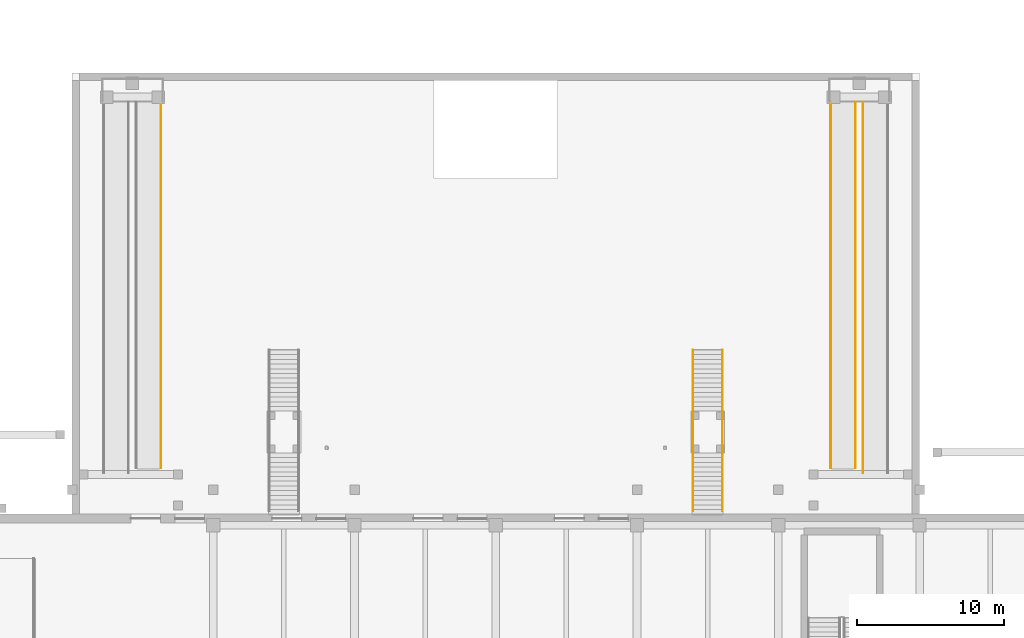
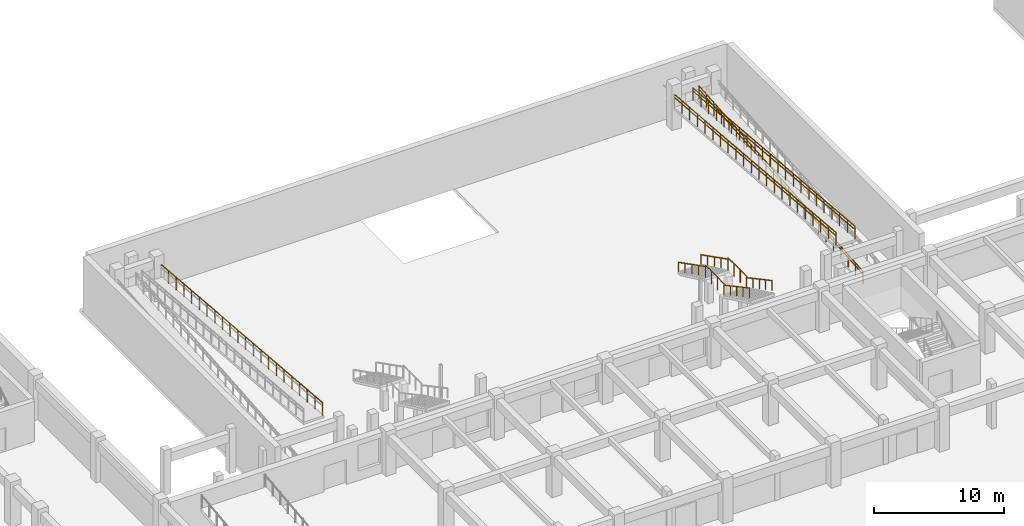
# One storey, part 33 of 39: 13 railings.
"""IFC4 building model written with IfcOpenShell, lengths in metres."""

from ifc_helpers import new_model, si_unit, direction, frame, origin, origin_2d, place, context, subcontext, project, spatial, circle, extrude, material, type_object, element, save


model = new_model("IFC4")

# Units and contexts
model_context = context("Model", 3, precision=1e-05, world=origin(), true_north=direction((0.0, 1.0)))
body_context = subcontext(model_context, "Body", "Model", "MODEL_VIEW")
ifc_project = project(units=[si_unit("LENGTHUNIT", "METRE"), si_unit("AREAUNIT", "SQUARE_METRE"), si_unit("VOLUMEUNIT", "CUBIC_METRE"), si_unit("PLANEANGLEUNIT", "RADIAN"), si_unit("MASSUNIT", "GRAM", prefix="KILO")], contexts=[model_context])

# Site, building, storey
site_placement = place(None, origin())
site = spatial("IfcSite", under=ifc_project, at=site_placement, CompositionType="ELEMENT")
building_placement = place(site_placement, origin())
building = spatial("IfcBuilding", under=site, at=building_placement, Name="Nakhvara Creek Congress Hotel", CompositionType="ELEMENT")
storey_placement = place(building_placement, frame((0.0, 0.0, -4.199951171875)))
storey = spatial("IfcBuildingStorey", under=building, at=storey_placement, Name="B1", CompositionType="ELEMENT", Elevation=-4.199951171875)

# Railings
ifc_material_1 = material(Name="Bronze-anodised aluminium and laminated safety glass balustrade", Category="aluminium")
railing_type_1 = type_object("IfcRailingType", Name="RL-BALUS-1200", PredefinedType="BALUSTRADE", material=ifc_material_1)
for number, where, name in (
    (1, (109.39990234375, 102.97998046875, 2.099853515625), "Forecourt Stair Landing Guard ST22"),
    (2, (111.39990234375, 102.97998046875, 2.099853515625), "Forecourt Stair Landing Guard ST22"),
):
    element("IfcRailing", number, at=place(storey_placement, frame(where)), inside=storey, type_object=railing_type_1, Name=name, PredefinedType="BALUSTRADE", context=body_context, shape_type="SweptSolid", body=[
        extrude(circle(Radius=0.02392578125, at=origin_2d()), frame((0.0, -0.0146484375, 1.17578125), z_axis=(0.0, -1.0, 0.0), x_axis=(1.0, 0.0, 0.0)), (0.0, 0.0, 1.0), 2.770751953125),
        extrude(circle(Radius=0.02099609375, at=origin_2d()), origin(), (0.0, 0.0, 1.0), 1.1806640625),
        extrude(circle(Radius=0.02099609375, at=origin_2d()), frame((0.0, -0.933349609375, 0.0)), (0.0, 0.0, 1.0), 1.1806640625),
        extrude(circle(Radius=0.02099609375, at=origin_2d()), frame((0.0, -1.86669921875, 0.0)), (0.0, 0.0, 1.0), 1.1806640625),
        extrude(circle(Radius=0.02099609375, at=origin_2d()), frame((0.0, -2.800048828125, 0.0)), (0.0, 0.0, 1.0), 1.1806640625),
    ])
railing_1_placement = place(storey_placement, frame((73.239990234375, 124.0, 2.099853515625)))
element("IfcRailing", 3, at=railing_1_placement, inside=storey, type_object=railing_type_1, Name="Ramp Guard PR01-2R", PredefinedType="BALUSTRADE", context=body_context, shape_type="SweptSolid", body=[
    extrude(circle(Radius=0.02392578125, at=origin_2d()), frame((0.0, -0.0146484375, 1.17724609375), z_axis=(0.0, -0.996447991047, 0.08421045742), x_axis=(1.0, 0.0, 0.0)), (0.0, 0.0, 1.0), 24.9091796875),
    extrude(circle(Radius=0.02099609375, at=origin_2d()), origin(), (0.0, 0.0, 1.0), 1.1806640625),
    extrude(circle(Radius=0.02099609375, at=origin_2d()), frame((0.0, -1.183349609375, 0.10009765625)), (0.0, 0.0, 1.0), 1.1806640625),
    extrude(circle(Radius=0.02099609375, at=origin_2d()), frame((0.0, -2.36669921875, 0.199951171875)), (0.0, 0.0, 1.0), 1.1806640625),
    extrude(circle(Radius=0.02099609375, at=origin_2d()), frame((0.0, -3.550048828125, 0.300048828125)), (0.0, 0.0, 1.0), 1.1806640625),
    extrude(circle(Radius=0.02099609375, at=origin_2d()), frame((0.0, -4.7333984375, 0.39990234375)), (0.0, 0.0, 1.0), 1.1806640625),
    extrude(circle(Radius=0.02099609375, at=origin_2d()), frame((0.0, -5.916748046875, 0.5)), (0.0, 0.0, 1.0), 1.1806640625),
    extrude(circle(Radius=0.02099609375, at=origin_2d()), frame((0.0, -7.10009765625, 0.60009765625)), (0.0, 0.0, 1.0), 1.1806640625),
    extrude(circle(Radius=0.02099609375, at=origin_2d()), frame((0.0, -8.283447265625, 0.699951171875)), (0.0, 0.0, 1.0), 1.1806640625),
    extrude(circle(Radius=0.02099609375, at=origin_2d()), frame((0.0, -9.466796875, 0.800048828125)), (0.0, 0.0, 1.0), 1.1806640625),
    extrude(circle(Radius=0.02099609375, at=origin_2d()), frame((0.0, -10.650146484375, 0.900146484375)), (0.0, 0.0, 1.0), 1.1806640625),
    extrude(circle(Radius=0.02099609375, at=origin_2d()), frame((0.0, -11.83349609375, 1.0)), (0.0, 0.0, 1.0), 1.1806640625),
    extrude(circle(Radius=0.02099609375, at=origin_2d()), frame((0.0, -13.0166015625, 1.10009765625)), (0.0, 0.0, 1.0), 1.1806640625),
    extrude(circle(Radius=0.02099609375, at=origin_2d()), frame((0.0, -14.199951171875, 1.199951171875)), (0.0, 0.0, 1.0), 1.1806640625),
    extrude(circle(Radius=0.02099609375, at=origin_2d()), frame((0.0, -15.38330078125, 1.300048828125)), (0.0, 0.0, 1.0), 1.1806640625),
    extrude(circle(Radius=0.02099609375, at=origin_2d()), frame((0.0, -16.566650390625, 1.400146484375)), (0.0, 0.0, 1.0), 1.1806640625),
    extrude(circle(Radius=0.02099609375, at=origin_2d()), frame((0.0, -17.75, 1.5)), (0.0, 0.0, 1.0), 1.1806640625),
    extrude(circle(Radius=0.02099609375, at=origin_2d()), frame((0.0, -18.933349609375, 1.60009765625)), (0.0, 0.0, 1.0), 1.1806640625),
    extrude(circle(Radius=0.02099609375, at=origin_2d()), frame((0.0, -20.11669921875, 1.7001953125)), (0.0, 0.0, 1.0), 1.1806640625),
    extrude(circle(Radius=0.02099609375, at=origin_2d()), frame((0.0, -21.300048828125, 1.800048828125)), (0.0, 0.0, 1.0), 1.1806640625),
    extrude(circle(Radius=0.02099609375, at=origin_2d()), frame((0.0, -22.4833984375, 1.900146484375)), (0.0, 0.0, 1.0), 1.1806640625),
    extrude(circle(Radius=0.02099609375, at=origin_2d()), frame((0.0, -23.666748046875, 2.0)), (0.0, 0.0, 1.0), 1.1806640625),
    extrude(circle(Radius=0.02099609375, at=origin_2d()), frame((0.0, -24.85009765625, 2.10009765625)), (0.0, 0.0, 1.0), 1.1806640625),
])
railing_2_placement = place(storey_placement, frame((120.9599609375, 98.800048828125, 0.0)))
element("IfcRailing", 4, at=railing_2_placement, inside=storey, type_object=railing_type_1, Name="Ramp Guard PR02-1L", PredefinedType="BALUSTRADE", context=body_context, shape_type="SweptSolid", body=[
    extrude(circle(Radius=0.02392578125, at=origin_2d()), frame((0.0, 0.0146484375, 1.177001953125), z_axis=(0.0, 0.996546224317, 0.083039886798), x_axis=(-1.0, 0.0, 0.0)), (0.0, 0.0, 1.0), 25.2578125),
    extrude(circle(Radius=0.02099609375, at=origin_2d()), origin(), (0.0, 0.0, 1.0), 1.1806640625),
    extrude(circle(Radius=0.02099609375, at=origin_2d()), frame((0.0, 1.1455078125, 0.095458984375)), (0.0, 0.0, 1.0), 1.1806640625),
    extrude(circle(Radius=0.02099609375, at=origin_2d()), frame((0.0, 2.291015625, 0.19091796875)), (0.0, 0.0, 1.0), 1.1806640625),
    extrude(circle(Radius=0.02099609375, at=origin_2d()), frame((0.0, 3.436279296875, 0.286376953125)), (0.0, 0.0, 1.0), 1.1806640625),
    extrude(circle(Radius=0.02099609375, at=origin_2d()), frame((0.0, 4.581787109375, 0.3818359375)), (0.0, 0.0, 1.0), 1.1806640625),
    extrude(circle(Radius=0.02099609375, at=origin_2d()), frame((0.0, 5.727294921875, 0.477294921875)), (0.0, 0.0, 1.0), 1.1806640625),
    extrude(circle(Radius=0.02099609375, at=origin_2d()), frame((0.0, 6.872802734375, 0.57275390625)), (0.0, 0.0, 1.0), 1.1806640625),
    extrude(circle(Radius=0.02099609375, at=origin_2d()), frame((0.0, 8.01806640625, 0.668212890625)), (0.0, 0.0, 1.0), 1.1806640625),
    extrude(circle(Radius=0.02099609375, at=origin_2d()), frame((0.0, 9.16357421875, 0.763671875)), (0.0, 0.0, 1.0), 1.1806640625),
    extrude(circle(Radius=0.02099609375, at=origin_2d()), frame((0.0, 10.30908203125, 0.859130859375)), (0.0, 0.0, 1.0), 1.1806640625),
    extrude(circle(Radius=0.02099609375, at=origin_2d()), frame((0.0, 11.45458984375, 0.95458984375)), (0.0, 0.0, 1.0), 1.1806640625),
    extrude(circle(Radius=0.02099609375, at=origin_2d()), frame((0.0, 12.60009765625, 1.0498046875)), (0.0, 0.0, 1.0), 1.1806640625),
    extrude(circle(Radius=0.02099609375, at=origin_2d()), frame((0.0, 13.745361328125, 1.145263671875)), (0.0, 0.0, 1.0), 1.1806640625),
    extrude(circle(Radius=0.02099609375, at=origin_2d()), frame((0.0, 14.890869140625, 1.24072265625)), (0.0, 0.0, 1.0), 1.1806640625),
    extrude(circle(Radius=0.02099609375, at=origin_2d()), frame((0.0, 16.036376953125, 1.336181640625)), (0.0, 0.0, 1.0), 1.1806640625),
    extrude(circle(Radius=0.02099609375, at=origin_2d()), frame((0.0, 17.181884765625, 1.431640625)), (0.0, 0.0, 1.0), 1.1806640625),
    extrude(circle(Radius=0.02099609375, at=origin_2d()), frame((0.0, 18.3271484375, 1.527099609375)), (0.0, 0.0, 1.0), 1.1806640625),
    extrude(circle(Radius=0.02099609375, at=origin_2d()), frame((0.0, 19.47265625, 1.62255859375)), (0.0, 0.0, 1.0), 1.1806640625),
    extrude(circle(Radius=0.02099609375, at=origin_2d()), frame((0.0, 20.6181640625, 1.718017578125)), (0.0, 0.0, 1.0), 1.1806640625),
    extrude(circle(Radius=0.02099609375, at=origin_2d()), frame((0.0, 21.763671875, 1.8134765625)), (0.0, 0.0, 1.0), 1.1806640625),
    extrude(circle(Radius=0.02099609375, at=origin_2d()), frame((0.0, 22.908935546875, 1.908935546875)), (0.0, 0.0, 1.0), 1.1806640625),
    extrude(circle(Radius=0.02099609375, at=origin_2d()), frame((0.0, 24.054443359375, 2.00439453125)), (0.0, 0.0, 1.0), 1.1806640625),
    extrude(circle(Radius=0.02099609375, at=origin_2d()), frame((0.0, 25.199951171875, 2.099853515625)), (0.0, 0.0, 1.0), 1.1806640625),
])
railing_3_placement = place(storey_placement, frame((118.760009765625, 124.0, 2.099853515625)))
element("IfcRailing", 5, at=railing_3_placement, inside=storey, type_object=railing_type_1, Name="Ramp Guard PR02-2L", PredefinedType="BALUSTRADE", context=body_context, shape_type="SweptSolid", body=[
    extrude(circle(Radius=0.02392578125, at=origin_2d()), frame((0.0, -0.0146484375, 1.17724609375), z_axis=(0.0, -0.996447991047, 0.08421045742), x_axis=(1.0, 0.0, 0.0)), (0.0, 0.0, 1.0), 24.9091796875),
    extrude(circle(Radius=0.02099609375, at=origin_2d()), origin(), (0.0, 0.0, 1.0), 1.1806640625),
    extrude(circle(Radius=0.02099609375, at=origin_2d()), frame((0.0, -1.183349609375, 0.10009765625)), (0.0, 0.0, 1.0), 1.1806640625),
    extrude(circle(Radius=0.02099609375, at=origin_2d()), frame((0.0, -2.36669921875, 0.199951171875)), (0.0, 0.0, 1.0), 1.1806640625),
    extrude(circle(Radius=0.02099609375, at=origin_2d()), frame((0.0, -3.550048828125, 0.300048828125)), (0.0, 0.0, 1.0), 1.1806640625),
    extrude(circle(Radius=0.02099609375, at=origin_2d()), frame((0.0, -4.7333984375, 0.39990234375)), (0.0, 0.0, 1.0), 1.1806640625),
    extrude(circle(Radius=0.02099609375, at=origin_2d()), frame((0.0, -5.916748046875, 0.5)), (0.0, 0.0, 1.0), 1.1806640625),
    extrude(circle(Radius=0.02099609375, at=origin_2d()), frame((0.0, -7.10009765625, 0.60009765625)), (0.0, 0.0, 1.0), 1.1806640625),
    extrude(circle(Radius=0.02099609375, at=origin_2d()), frame((0.0, -8.283447265625, 0.699951171875)), (0.0, 0.0, 1.0), 1.1806640625),
    extrude(circle(Radius=0.02099609375, at=origin_2d()), frame((0.0, -9.466796875, 0.800048828125)), (0.0, 0.0, 1.0), 1.1806640625),
    extrude(circle(Radius=0.02099609375, at=origin_2d()), frame((0.0, -10.650146484375, 0.900146484375)), (0.0, 0.0, 1.0), 1.1806640625),
    extrude(circle(Radius=0.02099609375, at=origin_2d()), frame((0.0, -11.83349609375, 1.0)), (0.0, 0.0, 1.0), 1.1806640625),
    extrude(circle(Radius=0.02099609375, at=origin_2d()), frame((0.0, -13.0166015625, 1.10009765625)), (0.0, 0.0, 1.0), 1.1806640625),
    extrude(circle(Radius=0.02099609375, at=origin_2d()), frame((0.0, -14.199951171875, 1.199951171875)), (0.0, 0.0, 1.0), 1.1806640625),
    extrude(circle(Radius=0.02099609375, at=origin_2d()), frame((0.0, -15.38330078125, 1.300048828125)), (0.0, 0.0, 1.0), 1.1806640625),
    extrude(circle(Radius=0.02099609375, at=origin_2d()), frame((0.0, -16.566650390625, 1.400146484375)), (0.0, 0.0, 1.0), 1.1806640625),
    extrude(circle(Radius=0.02099609375, at=origin_2d()), frame((0.0, -17.75, 1.5)), (0.0, 0.0, 1.0), 1.1806640625),
    extrude(circle(Radius=0.02099609375, at=origin_2d()), frame((0.0, -18.933349609375, 1.60009765625)), (0.0, 0.0, 1.0), 1.1806640625),
    extrude(circle(Radius=0.02099609375, at=origin_2d()), frame((0.0, -20.11669921875, 1.7001953125)), (0.0, 0.0, 1.0), 1.1806640625),
    extrude(circle(Radius=0.02099609375, at=origin_2d()), frame((0.0, -21.300048828125, 1.800048828125)), (0.0, 0.0, 1.0), 1.1806640625),
    extrude(circle(Radius=0.02099609375, at=origin_2d()), frame((0.0, -22.4833984375, 1.900146484375)), (0.0, 0.0, 1.0), 1.1806640625),
    extrude(circle(Radius=0.02099609375, at=origin_2d()), frame((0.0, -23.666748046875, 2.0)), (0.0, 0.0, 1.0), 1.1806640625),
    extrude(circle(Radius=0.02099609375, at=origin_2d()), frame((0.0, -24.85009765625, 2.10009765625)), (0.0, 0.0, 1.0), 1.1806640625),
])
railing_4_placement = place(storey_placement, frame((120.43994140625, 124.0, 2.099853515625)))
element("IfcRailing", 6, at=railing_4_placement, inside=storey, type_object=railing_type_1, Name="Ramp Guard PR02-2R", PredefinedType="BALUSTRADE", context=body_context, shape_type="SweptSolid", body=[
    extrude(circle(Radius=0.02392578125, at=origin_2d()), frame((0.0, -0.0146484375, 1.17724609375), z_axis=(0.0, -0.996447991047, 0.08421045742), x_axis=(1.0, 0.0, 0.0)), (0.0, 0.0, 1.0), 24.9091796875),
    extrude(circle(Radius=0.02099609375, at=origin_2d()), origin(), (0.0, 0.0, 1.0), 1.1806640625),
    extrude(circle(Radius=0.02099609375, at=origin_2d()), frame((0.0, -1.183349609375, 0.10009765625)), (0.0, 0.0, 1.0), 1.1806640625),
    extrude(circle(Radius=0.02099609375, at=origin_2d()), frame((0.0, -2.36669921875, 0.199951171875)), (0.0, 0.0, 1.0), 1.1806640625),
    extrude(circle(Radius=0.02099609375, at=origin_2d()), frame((0.0, -3.550048828125, 0.300048828125)), (0.0, 0.0, 1.0), 1.1806640625),
    extrude(circle(Radius=0.02099609375, at=origin_2d()), frame((0.0, -4.7333984375, 0.39990234375)), (0.0, 0.0, 1.0), 1.1806640625),
    extrude(circle(Radius=0.02099609375, at=origin_2d()), frame((0.0, -5.916748046875, 0.5)), (0.0, 0.0, 1.0), 1.1806640625),
    extrude(circle(Radius=0.02099609375, at=origin_2d()), frame((0.0, -7.10009765625, 0.60009765625)), (0.0, 0.0, 1.0), 1.1806640625),
    extrude(circle(Radius=0.02099609375, at=origin_2d()), frame((0.0, -8.283447265625, 0.699951171875)), (0.0, 0.0, 1.0), 1.1806640625),
    extrude(circle(Radius=0.02099609375, at=origin_2d()), frame((0.0, -9.466796875, 0.800048828125)), (0.0, 0.0, 1.0), 1.1806640625),
    extrude(circle(Radius=0.02099609375, at=origin_2d()), frame((0.0, -10.650146484375, 0.900146484375)), (0.0, 0.0, 1.0), 1.1806640625),
    extrude(circle(Radius=0.02099609375, at=origin_2d()), frame((0.0, -11.83349609375, 1.0)), (0.0, 0.0, 1.0), 1.1806640625),
    extrude(circle(Radius=0.02099609375, at=origin_2d()), frame((0.0, -13.0166015625, 1.10009765625)), (0.0, 0.0, 1.0), 1.1806640625),
    extrude(circle(Radius=0.02099609375, at=origin_2d()), frame((0.0, -14.199951171875, 1.199951171875)), (0.0, 0.0, 1.0), 1.1806640625),
    extrude(circle(Radius=0.02099609375, at=origin_2d()), frame((0.0, -15.38330078125, 1.300048828125)), (0.0, 0.0, 1.0), 1.1806640625),
    extrude(circle(Radius=0.02099609375, at=origin_2d()), frame((0.0, -16.566650390625, 1.400146484375)), (0.0, 0.0, 1.0), 1.1806640625),
    extrude(circle(Radius=0.02099609375, at=origin_2d()), frame((0.0, -17.75, 1.5)), (0.0, 0.0, 1.0), 1.1806640625),
    extrude(circle(Radius=0.02099609375, at=origin_2d()), frame((0.0, -18.933349609375, 1.60009765625)), (0.0, 0.0, 1.0), 1.1806640625),
    extrude(circle(Radius=0.02099609375, at=origin_2d()), frame((0.0, -20.11669921875, 1.7001953125)), (0.0, 0.0, 1.0), 1.1806640625),
    extrude(circle(Radius=0.02099609375, at=origin_2d()), frame((0.0, -21.300048828125, 1.800048828125)), (0.0, 0.0, 1.0), 1.1806640625),
    extrude(circle(Radius=0.02099609375, at=origin_2d()), frame((0.0, -22.4833984375, 1.900146484375)), (0.0, 0.0, 1.0), 1.1806640625),
    extrude(circle(Radius=0.02099609375, at=origin_2d()), frame((0.0, -23.666748046875, 2.0)), (0.0, 0.0, 1.0), 1.1806640625),
    extrude(circle(Radius=0.02099609375, at=origin_2d()), frame((0.0, -24.85009765625, 2.10009765625)), (0.0, 0.0, 1.0), 1.1806640625),
])
ifc_material_2 = material(Name="Brushed stainless steel 316L", Category="steel")
railing_type_2 = type_object("IfcRailingType", Name="RL-HAND-900", PredefinedType="HANDRAIL", material=ifc_material_2)
railing_5_placement = place(storey_placement, frame((109.39990234375, 107.159912109375, 0.14990234375)))
element("IfcRailing", 7, at=railing_5_placement, inside=storey, type_object=railing_type_2, Name="Forecourt Stair Lower Handrail ST22", PredefinedType="HANDRAIL", context=body_context, shape_type="SweptSolid", body=[
    extrude(circle(Radius=0.02392578125, at=origin_2d()), frame((0.0, -0.01318359375, 0.882568359375), z_axis=(0.0, -0.891742157623, 0.452543836902), x_axis=(1.0, 0.0, 0.0)), (0.0, 0.0, 1.0), 4.635498046875),
    extrude(circle(Radius=0.02099609375, at=origin_2d()), origin(), (0.0, 0.0, 1.0), 0.880615234375),
    extrude(circle(Radius=0.02099609375, at=origin_2d()), frame((0.0, -1.0400390625, 0.52783203125)), (0.0, 0.0, 1.0), 0.880615234375),
    extrude(circle(Radius=0.02099609375, at=origin_2d()), frame((0.0, -2.080078125, 1.0556640625)), (0.0, 0.0, 1.0), 0.880615234375),
    extrude(circle(Radius=0.02099609375, at=origin_2d()), frame((0.0, -3.119873046875, 1.583251953125)), (0.0, 0.0, 1.0), 0.880615234375),
    extrude(circle(Radius=0.02099609375, at=origin_2d()), frame((0.0, -4.159912109375, 2.111083984375)), (0.0, 0.0, 1.0), 0.880615234375),
])
railing_6_placement = place(storey_placement, frame((109.39990234375, 100.159912109375, 2.25)))
element("IfcRailing", 8, at=railing_6_placement, inside=storey, type_object=railing_type_2, Name="Forecourt Stair Upper Handrail ST22", PredefinedType="HANDRAIL", context=body_context, shape_type="SweptSolid", body=[
    extrude(circle(Radius=0.02392578125, at=origin_2d()), frame((0.0, -0.012939453125, 0.8828125), z_axis=(0.0, -0.88146535362, 0.472248695464), x_axis=(1.0, 0.0, 0.0)), (0.0, 0.0, 1.0), 4.4404296875),
    extrude(circle(Radius=0.02099609375, at=origin_2d()), origin(), (0.0, 0.0, 1.0), 0.880615234375),
    extrude(circle(Radius=0.02099609375, at=origin_2d()), frame((0.0, -0.98486328125, 0.52783203125)), (0.0, 0.0, 1.0), 0.880615234375),
    extrude(circle(Radius=0.02099609375, at=origin_2d()), frame((0.0, -1.969970703125, 1.055419921875)), (0.0, 0.0, 1.0), 0.880615234375),
    extrude(circle(Radius=0.02099609375, at=origin_2d()), frame((0.0, -2.955078125, 1.5830078125)), (0.0, 0.0, 1.0), 0.880615234375),
    extrude(circle(Radius=0.02099609375, at=origin_2d()), frame((0.0, -3.93994140625, 2.11083984375)), (0.0, 0.0, 1.0), 0.880615234375),
])
railing_7_placement = place(storey_placement, frame((111.39990234375, 107.159912109375, 0.14990234375)))
element("IfcRailing", 9, at=railing_7_placement, inside=storey, type_object=railing_type_2, Name="Forecourt Stair Lower Handrail ST22", PredefinedType="HANDRAIL", context=body_context, shape_type="SweptSolid", body=[
    extrude(circle(Radius=0.02392578125, at=origin_2d()), frame((0.0, -0.01318359375, 0.882568359375), z_axis=(0.0, -0.891742157623, 0.452543836902), x_axis=(1.0, 0.0, 0.0)), (0.0, 0.0, 1.0), 4.635498046875),
    extrude(circle(Radius=0.02099609375, at=origin_2d()), origin(), (0.0, 0.0, 1.0), 0.880615234375),
    extrude(circle(Radius=0.02099609375, at=origin_2d()), frame((0.0, -1.0400390625, 0.52783203125)), (0.0, 0.0, 1.0), 0.880615234375),
    extrude(circle(Radius=0.02099609375, at=origin_2d()), frame((0.0, -2.080078125, 1.0556640625)), (0.0, 0.0, 1.0), 0.880615234375),
    extrude(circle(Radius=0.02099609375, at=origin_2d()), frame((0.0, -3.119873046875, 1.583251953125)), (0.0, 0.0, 1.0), 0.880615234375),
    extrude(circle(Radius=0.02099609375, at=origin_2d()), frame((0.0, -4.159912109375, 2.111083984375)), (0.0, 0.0, 1.0), 0.880615234375),
])
railing_8_placement = place(storey_placement, frame((111.39990234375, 100.159912109375, 2.25)))
element("IfcRailing", 10, at=railing_8_placement, inside=storey, type_object=railing_type_2, Name="Forecourt Stair Upper Handrail ST22", PredefinedType="HANDRAIL", context=body_context, shape_type="SweptSolid", body=[
    extrude(circle(Radius=0.02392578125, at=origin_2d()), frame((0.0, -0.012939453125, 0.8828125), z_axis=(0.0, -0.88146535362, 0.472248695464), x_axis=(1.0, 0.0, 0.0)), (0.0, 0.0, 1.0), 4.4404296875),
    extrude(circle(Radius=0.02099609375, at=origin_2d()), origin(), (0.0, 0.0, 1.0), 0.880615234375),
    extrude(circle(Radius=0.02099609375, at=origin_2d()), frame((0.0, -0.98486328125, 0.52783203125)), (0.0, 0.0, 1.0), 0.880615234375),
    extrude(circle(Radius=0.02099609375, at=origin_2d()), frame((0.0, -1.969970703125, 1.055419921875)), (0.0, 0.0, 1.0), 0.880615234375),
    extrude(circle(Radius=0.02099609375, at=origin_2d()), frame((0.0, -2.955078125, 1.5830078125)), (0.0, 0.0, 1.0), 0.880615234375),
    extrude(circle(Radius=0.02099609375, at=origin_2d()), frame((0.0, -3.93994140625, 2.11083984375)), (0.0, 0.0, 1.0), 0.880615234375),
])
railing_9_placement = place(storey_placement, frame((120.9599609375, 98.800048828125, 0.0)))
element("IfcRailing", 11, at=railing_9_placement, inside=storey, type_object=railing_type_2, Name="Ramp Handrail PR02-1L", PredefinedType="HANDRAIL", context=body_context, shape_type="SweptSolid", body=[
    extrude(circle(Radius=0.02392578125, at=origin_2d()), frame((0.0, 0.0146484375, 0.876953125), z_axis=(0.0, 0.996546224317, 0.083039886798), x_axis=(-1.0, 0.0, 0.0)), (0.0, 0.0, 1.0), 25.2578125),
    extrude(circle(Radius=0.02099609375, at=origin_2d()), origin(), (0.0, 0.0, 1.0), 0.880615234375),
    extrude(circle(Radius=0.02099609375, at=origin_2d()), frame((0.0, 1.1455078125, 0.095458984375)), (0.0, 0.0, 1.0), 0.880615234375),
    extrude(circle(Radius=0.02099609375, at=origin_2d()), frame((0.0, 2.291015625, 0.19091796875)), (0.0, 0.0, 1.0), 0.880615234375),
    extrude(circle(Radius=0.02099609375, at=origin_2d()), frame((0.0, 3.436279296875, 0.286376953125)), (0.0, 0.0, 1.0), 0.880615234375),
    extrude(circle(Radius=0.02099609375, at=origin_2d()), frame((0.0, 4.581787109375, 0.3818359375)), (0.0, 0.0, 1.0), 0.880615234375),
    extrude(circle(Radius=0.02099609375, at=origin_2d()), frame((0.0, 5.727294921875, 0.477294921875)), (0.0, 0.0, 1.0), 0.880615234375),
    extrude(circle(Radius=0.02099609375, at=origin_2d()), frame((0.0, 6.872802734375, 0.57275390625)), (0.0, 0.0, 1.0), 0.880615234375),
    extrude(circle(Radius=0.02099609375, at=origin_2d()), frame((0.0, 8.01806640625, 0.668212890625)), (0.0, 0.0, 1.0), 0.880615234375),
    extrude(circle(Radius=0.02099609375, at=origin_2d()), frame((0.0, 9.16357421875, 0.763671875)), (0.0, 0.0, 1.0), 0.880615234375),
    extrude(circle(Radius=0.02099609375, at=origin_2d()), frame((0.0, 10.30908203125, 0.859130859375)), (0.0, 0.0, 1.0), 0.880615234375),
    extrude(circle(Radius=0.02099609375, at=origin_2d()), frame((0.0, 11.45458984375, 0.95458984375)), (0.0, 0.0, 1.0), 0.880615234375),
    extrude(circle(Radius=0.02099609375, at=origin_2d()), frame((0.0, 12.60009765625, 1.0498046875)), (0.0, 0.0, 1.0), 0.880615234375),
    extrude(circle(Radius=0.02099609375, at=origin_2d()), frame((0.0, 13.745361328125, 1.145263671875)), (0.0, 0.0, 1.0), 0.880615234375),
    extrude(circle(Radius=0.02099609375, at=origin_2d()), frame((0.0, 14.890869140625, 1.24072265625)), (0.0, 0.0, 1.0), 0.880615234375),
    extrude(circle(Radius=0.02099609375, at=origin_2d()), frame((0.0, 16.036376953125, 1.336181640625)), (0.0, 0.0, 1.0), 0.880615234375),
    extrude(circle(Radius=0.02099609375, at=origin_2d()), frame((0.0, 17.181884765625, 1.431640625)), (0.0, 0.0, 1.0), 0.880615234375),
    extrude(circle(Radius=0.02099609375, at=origin_2d()), frame((0.0, 18.3271484375, 1.527099609375)), (0.0, 0.0, 1.0), 0.880615234375),
    extrude(circle(Radius=0.02099609375, at=origin_2d()), frame((0.0, 19.47265625, 1.62255859375)), (0.0, 0.0, 1.0), 0.880615234375),
    extrude(circle(Radius=0.02099609375, at=origin_2d()), frame((0.0, 20.6181640625, 1.718017578125)), (0.0, 0.0, 1.0), 0.880615234375),
    extrude(circle(Radius=0.02099609375, at=origin_2d()), frame((0.0, 21.763671875, 1.8134765625)), (0.0, 0.0, 1.0), 0.880615234375),
    extrude(circle(Radius=0.02099609375, at=origin_2d()), frame((0.0, 22.908935546875, 1.908935546875)), (0.0, 0.0, 1.0), 0.880615234375),
    extrude(circle(Radius=0.02099609375, at=origin_2d()), frame((0.0, 24.054443359375, 2.00439453125)), (0.0, 0.0, 1.0), 0.880615234375),
    extrude(circle(Radius=0.02099609375, at=origin_2d()), frame((0.0, 25.199951171875, 2.099853515625)), (0.0, 0.0, 1.0), 0.880615234375),
])
railing_10_placement = place(storey_placement, frame((118.760009765625, 124.0, 2.099853515625)))
element("IfcRailing", 12, at=railing_10_placement, inside=storey, type_object=railing_type_2, Name="Ramp Handrail PR02-2L", PredefinedType="HANDRAIL", context=body_context, shape_type="SweptSolid", body=[
    extrude(circle(Radius=0.02392578125, at=origin_2d()), frame((0.0, -0.0146484375, 0.877197265625), z_axis=(0.0, -0.996447991047, 0.08421045742), x_axis=(1.0, 0.0, 0.0)), (0.0, 0.0, 1.0), 24.9091796875),
    extrude(circle(Radius=0.02099609375, at=origin_2d()), origin(), (0.0, 0.0, 1.0), 0.880615234375),
    extrude(circle(Radius=0.02099609375, at=origin_2d()), frame((0.0, -1.183349609375, 0.10009765625)), (0.0, 0.0, 1.0), 0.880615234375),
    extrude(circle(Radius=0.02099609375, at=origin_2d()), frame((0.0, -2.36669921875, 0.199951171875)), (0.0, 0.0, 1.0), 0.880615234375),
    extrude(circle(Radius=0.02099609375, at=origin_2d()), frame((0.0, -3.550048828125, 0.300048828125)), (0.0, 0.0, 1.0), 0.880615234375),
    extrude(circle(Radius=0.02099609375, at=origin_2d()), frame((0.0, -4.7333984375, 0.39990234375)), (0.0, 0.0, 1.0), 0.880615234375),
    extrude(circle(Radius=0.02099609375, at=origin_2d()), frame((0.0, -5.916748046875, 0.5)), (0.0, 0.0, 1.0), 0.880615234375),
    extrude(circle(Radius=0.02099609375, at=origin_2d()), frame((0.0, -7.10009765625, 0.60009765625)), (0.0, 0.0, 1.0), 0.880615234375),
    extrude(circle(Radius=0.02099609375, at=origin_2d()), frame((0.0, -8.283447265625, 0.699951171875)), (0.0, 0.0, 1.0), 0.880615234375),
    extrude(circle(Radius=0.02099609375, at=origin_2d()), frame((0.0, -9.466796875, 0.800048828125)), (0.0, 0.0, 1.0), 0.880615234375),
    extrude(circle(Radius=0.02099609375, at=origin_2d()), frame((0.0, -10.650146484375, 0.900146484375)), (0.0, 0.0, 1.0), 0.880615234375),
    extrude(circle(Radius=0.02099609375, at=origin_2d()), frame((0.0, -11.83349609375, 1.0)), (0.0, 0.0, 1.0), 0.880615234375),
    extrude(circle(Radius=0.02099609375, at=origin_2d()), frame((0.0, -13.0166015625, 1.10009765625)), (0.0, 0.0, 1.0), 0.880615234375),
    extrude(circle(Radius=0.02099609375, at=origin_2d()), frame((0.0, -14.199951171875, 1.199951171875)), (0.0, 0.0, 1.0), 0.880615234375),
    extrude(circle(Radius=0.02099609375, at=origin_2d()), frame((0.0, -15.38330078125, 1.300048828125)), (0.0, 0.0, 1.0), 0.880615234375),
    extrude(circle(Radius=0.02099609375, at=origin_2d()), frame((0.0, -16.566650390625, 1.400146484375)), (0.0, 0.0, 1.0), 0.880615234375),
    extrude(circle(Radius=0.02099609375, at=origin_2d()), frame((0.0, -17.75, 1.5)), (0.0, 0.0, 1.0), 0.880615234375),
    extrude(circle(Radius=0.02099609375, at=origin_2d()), frame((0.0, -18.933349609375, 1.60009765625)), (0.0, 0.0, 1.0), 0.880615234375),
    extrude(circle(Radius=0.02099609375, at=origin_2d()), frame((0.0, -20.11669921875, 1.7001953125)), (0.0, 0.0, 1.0), 0.880615234375),
    extrude(circle(Radius=0.02099609375, at=origin_2d()), frame((0.0, -21.300048828125, 1.800048828125)), (0.0, 0.0, 1.0), 0.880615234375),
    extrude(circle(Radius=0.02099609375, at=origin_2d()), frame((0.0, -22.4833984375, 1.900146484375)), (0.0, 0.0, 1.0), 0.880615234375),
    extrude(circle(Radius=0.02099609375, at=origin_2d()), frame((0.0, -23.666748046875, 2.0)), (0.0, 0.0, 1.0), 0.880615234375),
    extrude(circle(Radius=0.02099609375, at=origin_2d()), frame((0.0, -24.85009765625, 2.10009765625)), (0.0, 0.0, 1.0), 0.880615234375),
])
railing_11_placement = place(storey_placement, frame((120.43994140625, 124.0, 2.099853515625)))
element("IfcRailing", 13, at=railing_11_placement, inside=storey, type_object=railing_type_2, Name="Ramp Handrail PR02-2R", PredefinedType="HANDRAIL", context=body_context, shape_type="SweptSolid", body=[
    extrude(circle(Radius=0.02392578125, at=origin_2d()), frame((0.0, -0.0146484375, 0.877197265625), z_axis=(0.0, -0.996447991047, 0.08421045742), x_axis=(1.0, 0.0, 0.0)), (0.0, 0.0, 1.0), 24.9091796875),
    extrude(circle(Radius=0.02099609375, at=origin_2d()), origin(), (0.0, 0.0, 1.0), 0.880615234375),
    extrude(circle(Radius=0.02099609375, at=origin_2d()), frame((0.0, -1.183349609375, 0.10009765625)), (0.0, 0.0, 1.0), 0.880615234375),
    extrude(circle(Radius=0.02099609375, at=origin_2d()), frame((0.0, -2.36669921875, 0.199951171875)), (0.0, 0.0, 1.0), 0.880615234375),
    extrude(circle(Radius=0.02099609375, at=origin_2d()), frame((0.0, -3.550048828125, 0.300048828125)), (0.0, 0.0, 1.0), 0.880615234375),
    extrude(circle(Radius=0.02099609375, at=origin_2d()), frame((0.0, -4.7333984375, 0.39990234375)), (0.0, 0.0, 1.0), 0.880615234375),
    extrude(circle(Radius=0.02099609375, at=origin_2d()), frame((0.0, -5.916748046875, 0.5)), (0.0, 0.0, 1.0), 0.880615234375),
    extrude(circle(Radius=0.02099609375, at=origin_2d()), frame((0.0, -7.10009765625, 0.60009765625)), (0.0, 0.0, 1.0), 0.880615234375),
    extrude(circle(Radius=0.02099609375, at=origin_2d()), frame((0.0, -8.283447265625, 0.699951171875)), (0.0, 0.0, 1.0), 0.880615234375),
    extrude(circle(Radius=0.02099609375, at=origin_2d()), frame((0.0, -9.466796875, 0.800048828125)), (0.0, 0.0, 1.0), 0.880615234375),
    extrude(circle(Radius=0.02099609375, at=origin_2d()), frame((0.0, -10.650146484375, 0.900146484375)), (0.0, 0.0, 1.0), 0.880615234375),
    extrude(circle(Radius=0.02099609375, at=origin_2d()), frame((0.0, -11.83349609375, 1.0)), (0.0, 0.0, 1.0), 0.880615234375),
    extrude(circle(Radius=0.02099609375, at=origin_2d()), frame((0.0, -13.0166015625, 1.10009765625)), (0.0, 0.0, 1.0), 0.880615234375),
    extrude(circle(Radius=0.02099609375, at=origin_2d()), frame((0.0, -14.199951171875, 1.199951171875)), (0.0, 0.0, 1.0), 0.880615234375),
    extrude(circle(Radius=0.02099609375, at=origin_2d()), frame((0.0, -15.38330078125, 1.300048828125)), (0.0, 0.0, 1.0), 0.880615234375),
    extrude(circle(Radius=0.02099609375, at=origin_2d()), frame((0.0, -16.566650390625, 1.400146484375)), (0.0, 0.0, 1.0), 0.880615234375),
    extrude(circle(Radius=0.02099609375, at=origin_2d()), frame((0.0, -17.75, 1.5)), (0.0, 0.0, 1.0), 0.880615234375),
    extrude(circle(Radius=0.02099609375, at=origin_2d()), frame((0.0, -18.933349609375, 1.60009765625)), (0.0, 0.0, 1.0), 0.880615234375),
    extrude(circle(Radius=0.02099609375, at=origin_2d()), frame((0.0, -20.11669921875, 1.7001953125)), (0.0, 0.0, 1.0), 0.880615234375),
    extrude(circle(Radius=0.02099609375, at=origin_2d()), frame((0.0, -21.300048828125, 1.800048828125)), (0.0, 0.0, 1.0), 0.880615234375),
    extrude(circle(Radius=0.02099609375, at=origin_2d()), frame((0.0, -22.4833984375, 1.900146484375)), (0.0, 0.0, 1.0), 0.880615234375),
    extrude(circle(Radius=0.02099609375, at=origin_2d()), frame((0.0, -23.666748046875, 2.0)), (0.0, 0.0, 1.0), 0.880615234375),
    extrude(circle(Radius=0.02099609375, at=origin_2d()), frame((0.0, -24.85009765625, 2.10009765625)), (0.0, 0.0, 1.0), 0.880615234375),
])

save(model, "model.ifc")
